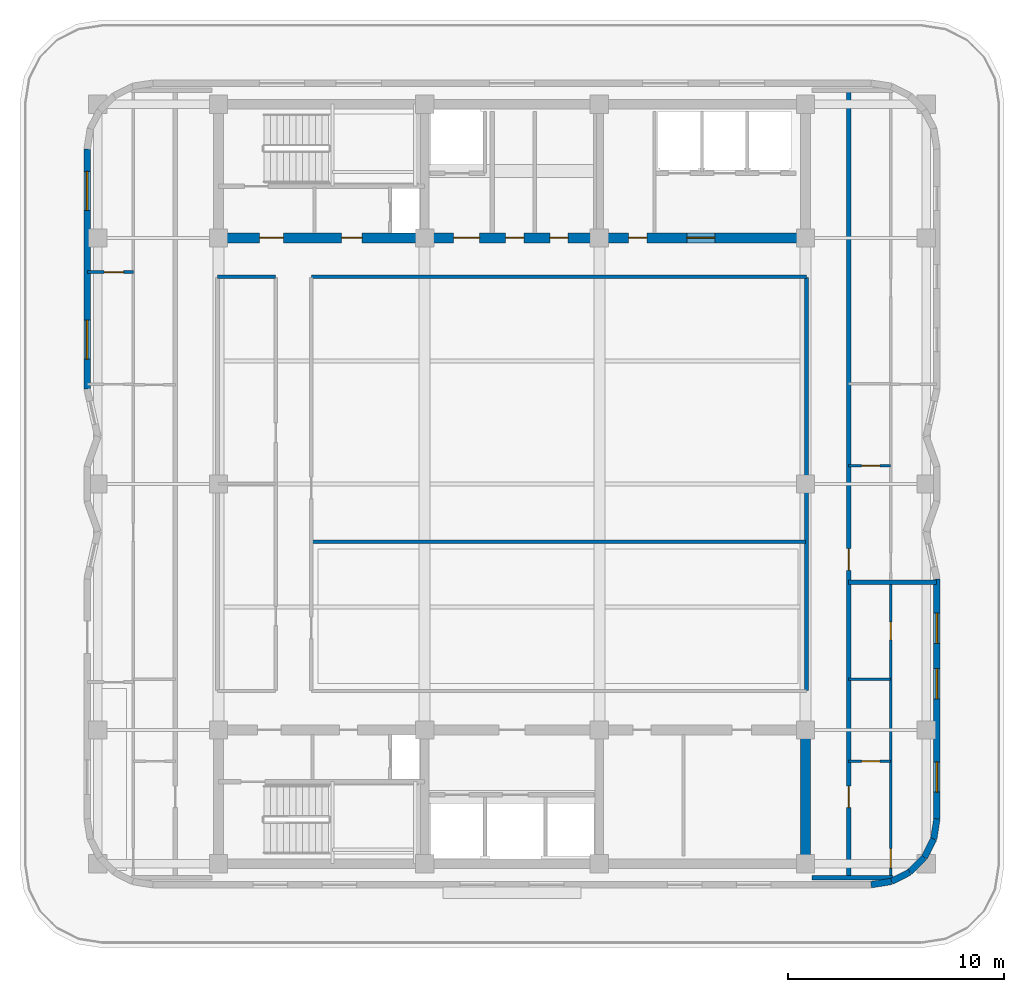
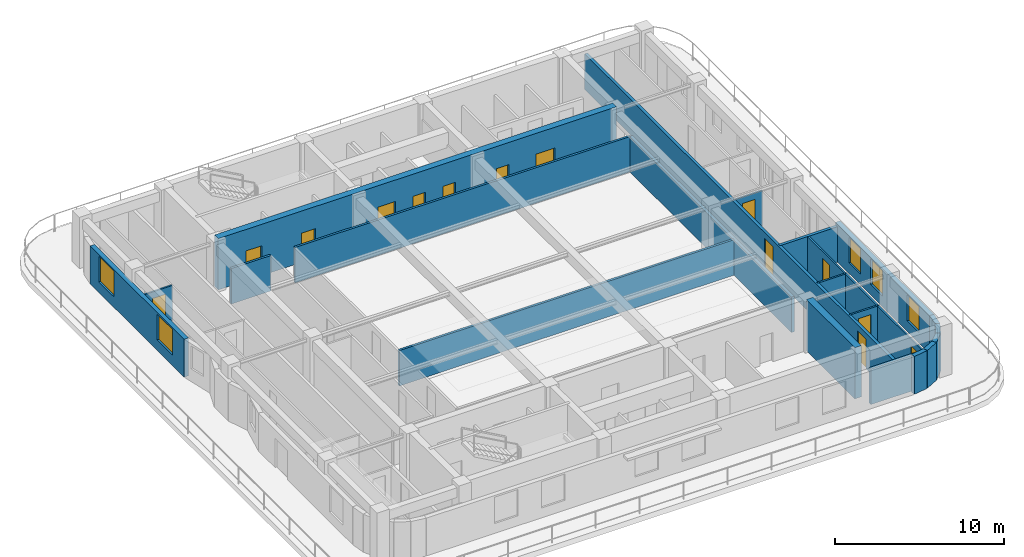
# One storey, part 4 of 9: 21 walls, 14 doors, 5 windows, 19 openings.
"""IFC4 building model written with IfcOpenShell, lengths in metres."""

from ifc_helpers import new_model, si_unit, direction, frame, frame_2d, origin, place, context, subcontext, project, spatial, rectangle, extrude, material, layer, layer_set, type_object, element, fill, save


model = new_model("IFC4")

# Units and contexts
model_context = context("Model", 3, precision=1e-05, world=origin(), true_north=direction((0.0, 1.0)))
body_context = subcontext(model_context, "Body", "Model", "MODEL_VIEW")
ifc_project = project(units=[si_unit("LENGTHUNIT", "METRE"), si_unit("AREAUNIT", "SQUARE_METRE"), si_unit("VOLUMEUNIT", "CUBIC_METRE"), si_unit("PLANEANGLEUNIT", "RADIAN"), si_unit("MASSUNIT", "GRAM", prefix="KILO")], contexts=[model_context])

# Site, building, storey
site_placement = place(None, origin())
site = spatial("IfcSite", under=ifc_project, at=site_placement, CompositionType="ELEMENT")
building_placement = place(site_placement, origin())
building = spatial("IfcBuilding", under=site, at=building_placement, Name="Svetorya Sky Lyceum", CompositionType="ELEMENT")
storey_placement = place(building_placement, frame((0.0, 0.0, 225.800048828125)))
storey = spatial("IfcBuildingStorey", under=building, at=storey_placement, Name="L56", CompositionType="ELEMENT", Elevation=225.800048828125)

# Wall
ifc_material_1 = material(Name="Concrete C50/60", Category="concrete")
ifc_layer_1 = layer(ifc_material_1, 0.449951171875)
ifc_layer_set_1 = layer_set([ifc_layer_1], Name="Concrete C50/60")
wall_type_1 = type_object("IfcWallType", Name="WL-CORE-450", PredefinedType="SHEAR", material=ifc_layer_set_1)
wall_1_placement = place(storey_placement, frame((52.800048828125, 10.824951171875, 0.0), z_axis=(0.0, 0.0, 1.0), x_axis=(0.0, 1.0, 0.0)))
element("IfcWall", 1, at=wall_1_placement, inside=storey, type_object=wall_type_1, Name="L56 SC East Core Shear Wall", PredefinedType="SHEAR", context=body_context, shape_type="SweptSolid", body=[
    extrude(rectangle(XDim=5.75, YDim=0.449951171875, at=frame_2d((2.875, 0.0))), origin(), (0.0, 0.0, 1.0), 3.699951171875),
])

# Wall, openings, doors
wall_2_placement = place(storey_placement, frame((52.800048828125, 39.60009765625, 0.0), z_axis=(0.0, 0.0, 1.0), x_axis=(-1.0, 0.0, 0.0)))
wall_2 = element("IfcWall", 2, at=wall_2_placement, inside=storey, type_object=wall_type_1, Name="L56 NC Inner Core Shear Wall", PredefinedType="SHEAR", context=body_context, shape_type="SweptSolid", body=[
    extrude(rectangle(XDim=27.199951171875, YDim=0.449951171875, at=frame_2d((13.60009765625, 0.0))), origin(), (0.0, 0.0, 1.0), 3.699951171875),
])
opening_1_placement = place(wall_2_placement, frame((24.199951171875, 0.0, 0.0)))
opening_1 = element("IfcOpeningElement", 3, at=opening_1_placement, cuts=wall_2, Name="Opening D-ST1", PredefinedType="OPENING", context=body_context, shape_type="SweptSolid", body=[
    extrude(rectangle(XDim=1.10009765625, YDim=2.14990234375, at=frame_2d((0.550048828125, 1.074951171875))), frame((0.0, 0.23486328125, 0.0), z_axis=(0.0, -1.0, 0.0), x_axis=(1.0, 0.0, 0.0)), (0.0, 0.0, 1.0), 0.469970703125),
])
opening_2_placement = place(wall_2_placement, frame((20.550048828125, 0.0, 0.0)))
opening_2 = element("IfcOpeningElement", 4, at=opening_2_placement, cuts=wall_2, Name="Opening D-CAC1", PredefinedType="OPENING", context=body_context, shape_type="SweptSolid", body=[
    extrude(rectangle(XDim=0.949951171875, YDim=2.10009765625, at=frame_2d((0.47509765625, 1.050048828125))), frame((0.0, 0.23486328125, 0.0), z_axis=(0.0, -1.0, 0.0), x_axis=(1.0, 0.0, 0.0)), (0.0, 0.0, 1.0), 0.469970703125),
])
opening_3_placement = place(wall_2_placement, frame((15.10009765625, 0.0, 0.0)))
opening_3 = element("IfcOpeningElement", 5, at=opening_3_placement, cuts=wall_2, Name="Opening D-FL1", PredefinedType="OPENING", context=body_context, shape_type="SweptSolid", body=[
    extrude(rectangle(XDim=1.199951171875, YDim=2.14990234375, at=frame_2d((0.60009765625, 1.074951171875))), frame((0.0, 0.23486328125, 0.0), z_axis=(0.0, -1.0, 0.0), x_axis=(1.0, 0.0, 0.0)), (0.0, 0.0, 1.0), 0.469970703125),
])
opening_4_placement = place(wall_2_placement, frame((13.050048828125, 0.0, 0.0)))
opening_4 = element("IfcOpeningElement", 6, at=opening_4_placement, cuts=wall_2, Name="Opening D-CWC1", PredefinedType="OPENING", context=body_context, shape_type="SweptSolid", body=[
    extrude(rectangle(XDim=0.85009765625, YDim=2.10009765625, at=frame_2d((0.425048828125, 1.050048828125))), frame((0.0, 0.23486328125, 0.0), z_axis=(0.0, -1.0, 0.0), x_axis=(1.0, 0.0, 0.0)), (0.0, 0.0, 1.0), 0.469970703125),
])
opening_5_placement = place(wall_2_placement, frame((11.0, 0.0, 0.0)))
opening_5 = element("IfcOpeningElement", 7, at=opening_5_placement, cuts=wall_2, Name="Opening D-CWC1", PredefinedType="OPENING", context=body_context, shape_type="SweptSolid", body=[
    extrude(rectangle(XDim=0.85009765625, YDim=2.10009765625, at=frame_2d((0.425048828125, 1.050048828125))), frame((0.0, 0.23486328125, 0.0), z_axis=(0.0, -1.0, 0.0), x_axis=(1.0, 0.0, 0.0)), (0.0, 0.0, 1.0), 0.469970703125),
])
opening_6_placement = place(wall_2_placement, frame((7.35009765625, 0.0, 0.0)))
opening_6 = element("IfcOpeningElement", 8, at=opening_6_placement, cuts=wall_2, Name="Opening D-CWC1", PredefinedType="OPENING", context=body_context, shape_type="SweptSolid", body=[
    extrude(rectangle(XDim=0.85009765625, YDim=2.10009765625, at=frame_2d((0.425048828125, 1.050048828125))), frame((0.0, 0.23486328125, 0.0), z_axis=(0.0, -1.0, 0.0), x_axis=(1.0, 0.0, 0.0)), (0.0, 0.0, 1.0), 0.469970703125),
])
opening_7_placement = place(wall_2_placement, frame((4.199951171875, 0.0, 0.0)))
opening_7 = element("IfcOpeningElement", 9, at=opening_7_placement, cuts=wall_2, Name="Opening D-LB1", PredefinedType="OPENING", context=body_context, shape_type="SweptSolid", body=[
    extrude(rectangle(XDim=1.300048828125, YDim=2.199951171875, at=frame_2d((0.64990234375, 1.10009765625))), frame((0.0, 0.23486328125, 0.0), z_axis=(0.0, -1.0, 0.0), x_axis=(1.0, 0.0, 0.0)), (0.0, 0.0, 1.0), 0.469970703125),
])
ifc_material_2 = material(Name="Fire-rated galvanized steel core accessible WC door", Category="steel")
door_type_1 = type_object("IfcDoorType", Name="DR-CACC-950", OperationType="SINGLE_SWING_LEFT", PredefinedType="DOOR", material=ifc_material_2)
door_1_placement = place(opening_2_placement, origin())
door_1 = element("IfcDoor", 10, at=door_1_placement, inside=storey, type_object=door_type_1, Name="L56 North Core Accessible WC Door", OperationType="SINGLE_SWING_RIGHT", OverallHeight=2.10009765625, OverallWidth=0.949951171875, PredefinedType="DOOR", context=body_context, shape_type="SweptSolid", body=[
    extrude(rectangle(XDim=0.949951171875, YDim=2.10009765625, at=frame_2d((0.47509765625, 1.050048828125))), frame((0.0, 0.02490234375, 0.0), z_axis=(0.0, -1.0, 0.0), x_axis=(1.0, 0.0, 0.0)), (0.0, 0.0, 1.0), 0.050048828125),
])
fill(opening_2, door_1)
ifc_material_3 = material(Name="Fire-rated galvanized steel core service closet door", Category="steel")
door_type_2 = type_object("IfcDoorType", Name="DR-CWET-850", OperationType="SINGLE_SWING_LEFT", PredefinedType="DOOR", material=ifc_material_3)
door_2_placement = place(opening_4_placement, origin())
door_2 = element("IfcDoor", 11, at=door_2_placement, inside=storey, type_object=door_type_2, Name="L56 Upper Linen Door", OperationType="SINGLE_SWING_LEFT", OverallHeight=2.10009765625, OverallWidth=0.85009765625, PredefinedType="DOOR", context=body_context, shape_type="SweptSolid", body=[
    extrude(rectangle(XDim=0.85009765625, YDim=2.10009765625, at=frame_2d((0.425048828125, 1.050048828125))), frame((0.0, 0.02490234375, 0.0), z_axis=(0.0, -1.0, 0.0), x_axis=(1.0, 0.0, 0.0)), (0.0, 0.0, 1.0), 0.050048828125),
])
fill(opening_4, door_2)
door_3_placement = place(opening_5_placement, origin())
door_3 = element("IfcDoor", 12, at=door_3_placement, inside=storey, type_object=door_type_2, Name="L56 Upper Laundry Door", OperationType="SINGLE_SWING_RIGHT", OverallHeight=2.10009765625, OverallWidth=0.85009765625, PredefinedType="DOOR", context=body_context, shape_type="SweptSolid", body=[
    extrude(rectangle(XDim=0.85009765625, YDim=2.10009765625, at=frame_2d((0.425048828125, 1.050048828125))), frame((0.0, 0.02490234375, 0.0), z_axis=(0.0, -1.0, 0.0), x_axis=(1.0, 0.0, 0.0)), (0.0, 0.0, 1.0), 0.050048828125),
])
fill(opening_5, door_3)
door_4_placement = place(opening_6_placement, origin())
door_4 = element("IfcDoor", 13, at=door_4_placement, inside=storey, type_object=door_type_2, Name="L56 High-Zone Utility Room Door", OperationType="SINGLE_SWING_LEFT", OverallHeight=2.10009765625, OverallWidth=0.85009765625, PredefinedType="DOOR", context=body_context, shape_type="SweptSolid", body=[
    extrude(rectangle(XDim=0.85009765625, YDim=2.10009765625, at=frame_2d((0.425048828125, 1.050048828125))), frame((0.0, 0.02490234375, 0.0), z_axis=(0.0, -1.0, 0.0), x_axis=(1.0, 0.0, 0.0)), (0.0, 0.0, 1.0), 0.050048828125),
])
fill(opening_6, door_4)
ifc_material_4 = material(Name="Powder-coated insulated galvanized stair fire door")
door_type_3 = type_object("IfcDoorType", Name="DR-FIRE-1100", OperationType="SINGLE_SWING_LEFT", PredefinedType="DOOR", material=ifc_material_4)
door_5_placement = place(opening_1_placement, origin())
door_5 = element("IfcDoor", 14, at=door_5_placement, inside=storey, type_object=door_type_3, Name="L56 North Stair Airlock Door", OperationType="SINGLE_SWING_LEFT", OverallHeight=2.14990234375, OverallWidth=1.10009765625, PredefinedType="DOOR", context=body_context, shape_type="SweptSolid", body=[
    extrude(rectangle(XDim=1.10009765625, YDim=2.14990234375, at=frame_2d((0.550048828125, 1.074951171875))), frame((0.0, 0.02490234375, 0.0), z_axis=(0.0, -1.0, 0.0), x_axis=(1.0, 0.0, 0.0)), (0.0, 0.0, 1.0), 0.050048828125),
])
fill(opening_1, door_5)
ifc_material_5 = material(Name="Powder-coated insulated galvanized fire door")
door_type_4 = type_object("IfcDoorType", Name="DR-FIRE-1200", OperationType="SINGLE_SWING_LEFT", PredefinedType="DOOR", material=ifc_material_5)
door_6_placement = place(opening_3_placement, origin())
door_6 = element("IfcDoor", 15, at=door_6_placement, inside=storey, type_object=door_type_4, Name="L56 North Firefighting Lift Lobby Door", OperationType="SINGLE_SWING_RIGHT", OverallHeight=2.14990234375, OverallWidth=1.199951171875, PredefinedType="DOOR", context=body_context, shape_type="SweptSolid", body=[
    extrude(rectangle(XDim=1.199951171875, YDim=2.14990234375, at=frame_2d((0.60009765625, 1.074951171875))), frame((0.0, 0.02490234375, 0.0), z_axis=(0.0, -1.0, 0.0), x_axis=(1.0, 0.0, 0.0)), (0.0, 0.0, 1.0), 0.050048828125),
])
fill(opening_3, door_6)
ifc_material_6 = material(Name="Glazed fire-rated aluminium lobby door", Category="aluminium")
door_type_5 = type_object("IfcDoorType", Name="DR-LOB-1300", OperationType="SINGLE_SWING_LEFT", PredefinedType="DOOR", material=ifc_material_6)
door_7_placement = place(opening_7_placement, origin())
door_7 = element("IfcDoor", 16, at=door_7_placement, inside=storey, type_object=door_type_5, Name="L56 North Passenger Lift Lobby Door", OperationType="SINGLE_SWING_LEFT", OverallHeight=2.199951171875, OverallWidth=1.300048828125, PredefinedType="DOOR", context=body_context, shape_type="SweptSolid", body=[
    extrude(rectangle(XDim=1.300048828125, YDim=2.199951171875, at=frame_2d((0.64990234375, 1.10009765625))), frame((0.0, 0.02490234375, 0.0), z_axis=(0.0, -1.0, 0.0), x_axis=(1.0, 0.0, 0.0)), (0.0, 0.0, 1.0), 0.050048828125),
])
fill(opening_7, door_7)

# Walls
ifc_material_7 = material(Name="Putilovo limestone rainscreen on autoclaved cellular masonry", Category="masonry")
ifc_layer_2 = layer(ifc_material_7, 0.300048828125)
ifc_layer_set_2 = layer_set([ifc_layer_2], Name="Putilovo limestone rainscreen on autoclaved cellular masonry")
wall_type_2 = type_object("IfcWallType", Name="WL-EXT-300", PredefinedType="SOLIDWALL", material=ifc_layer_set_2)
wall_3_placement = place(storey_placement, frame((55.840087890625, 9.6298828125, 0.0), z_axis=(0.0, 0.0, 1.0), x_axis=(0.987663181641, 0.156593229835, 0.0)))
element("IfcWall", 17, at=wall_3_placement, inside=storey, type_object=wall_type_2, Name="L56 Limestone Exterior Wall 7M", PredefinedType="SOLIDWALL", context=body_context, shape_type="SweptSolid", body=[
    extrude(rectangle(XDim=0.9541015625, YDim=0.300048828125, at=frame_2d((0.47705078125, 0.0))), origin(), (0.0, 0.0, 1.0), 2.72998046875),
])
for number, where, z_axis, x_axis, name in (
    (18, (56.782470703125, 9.779296875, 0.0), (0.0, 0.0, 1.0), (0.891076589373, 0.453852962833, 0.0), "L56 Limestone Exterior Wall 8M"),
    (19, (57.6328125, 10.21240234375, 0.0), (0.0, 0.0, 1.0), (0.707106781187, 0.707106781187, 0.0), "L56 Limestone Exterior Wall 9M"),
    (20, (58.3076171875, 10.88720703125, 0.0), (0.0, 0.0, 1.0), (0.453852962833, 0.891076589373, 0.0), "L56 Limestone Exterior Wall 10M"),
):
    element("IfcWall", number, at=place(storey_placement, frame(where, z_axis=z_axis, x_axis=x_axis)), inside=storey, type_object=wall_type_2, Name=name, PredefinedType="SOLIDWALL", context=body_context, shape_type="SweptSolid", body=[
        extrude(rectangle(XDim=0.954345703125, YDim=0.300048828125, at=frame_2d((0.47705078125, 0.0))), origin(), (0.0, 0.0, 1.0), 2.72998046875),
    ])
wall_4_placement = place(storey_placement, frame((58.74072265625, 11.737548828125, 0.0), z_axis=(0.0, 0.0, 1.0), x_axis=(0.156343617883, 0.987702725088, 0.0)))
element("IfcWall", 21, at=wall_4_placement, inside=storey, type_object=wall_type_2, Name="L56 Limestone Exterior Wall 11M", PredefinedType="SOLIDWALL", context=body_context, shape_type="SweptSolid", body=[
    extrude(rectangle(XDim=0.9541015625, YDim=0.300048828125, at=frame_2d((0.47705078125, 0.0))), origin(), (0.0, 0.0, 1.0), 2.72998046875),
])

# Wall, openings, windows
wall_5_placement = place(storey_placement, frame((58.889892578125, 12.679931640625, 0.0), z_axis=(0.0, 0.0, 1.0), x_axis=(0.0, 1.0, 0.0)))
wall_5 = element("IfcWall", 22, at=wall_5_placement, inside=storey, type_object=wall_type_2, Name="L56 Limestone Exterior Wall 12M", PredefinedType="SOLIDWALL", context=body_context, shape_type="SweptSolid", body=[
    extrude(rectangle(XDim=11.1201171875, YDim=0.300048828125, at=frame_2d((5.56005859375, 0.0))), origin(), (0.0, 0.0, 1.0), 2.72998046875),
])
opening_8_placement = place(wall_5_placement, frame((1.23681640625, 0.0, 0.760009765625)))
opening_8 = element("IfcOpeningElement", 23, at=opening_8_placement, cuts=wall_5, Name="Opening W-R2", PredefinedType="OPENING", context=body_context, shape_type="SweptSolid", body=[
    extrude(rectangle(XDim=1.39990234375, YDim=1.85009765625, at=frame_2d((0.699951171875, 0.925048828125))), frame((0.0, 0.159912109375, 0.0), z_axis=(0.0, -1.0, 0.0), x_axis=(1.0, 0.0, 0.0)), (0.0, 0.0, 1.0), 0.320068359375),
])
opening_9_placement = place(wall_5_placement, frame((5.56005859375, 0.0, 0.760009765625)))
opening_9 = element("IfcOpeningElement", 24, at=opening_9_placement, cuts=wall_5, Name="Opening W-R2", PredefinedType="OPENING", context=body_context, shape_type="SweptSolid", body=[
    extrude(rectangle(XDim=1.39990234375, YDim=1.85009765625, at=frame_2d((0.699951171875, 0.925048828125))), frame((0.0, 0.159912109375, 0.0), z_axis=(0.0, -1.0, 0.0), x_axis=(1.0, 0.0, 0.0)), (0.0, 0.0, 1.0), 0.320068359375),
])
opening_10_placement = place(wall_5_placement, frame((8.13330078125, 0.0, 0.760009765625)))
opening_10 = element("IfcOpeningElement", 25, at=opening_10_placement, cuts=wall_5, Name="Opening W-R2", PredefinedType="OPENING", context=body_context, shape_type="SweptSolid", body=[
    extrude(rectangle(XDim=1.39990234375, YDim=1.85009765625, at=frame_2d((0.699951171875, 0.925048828125))), frame((0.0, 0.159912109375, 0.0), z_axis=(0.0, -1.0, 0.0), x_axis=(1.0, 0.0, 0.0)), (0.0, 0.0, 1.0), 0.320068359375),
])
ifc_material_8 = material(Name="Thermally broken aluminium frame with triple low-E glazing", Category="aluminium")
window_type_1 = type_object("IfcWindowType", Name="WN-RES-140", PartitioningType="SINGLE_PANEL", PredefinedType="WINDOW", material=ifc_material_8)
window_1_placement = place(opening_8_placement, origin())
window_1 = element("IfcWindow", 26, at=window_1_placement, inside=storey, type_object=window_type_1, Name="L56 Facade Window W-R2.12M.1", OverallHeight=1.85009765625, OverallWidth=1.39990234375, PartitioningType="SINGLE_PANEL", PredefinedType="WINDOW", context=body_context, shape_type="SweptSolid", body=[
    extrude(rectangle(XDim=1.39990234375, YDim=1.85009765625, at=frame_2d((0.699951171875, 0.925048828125))), frame((0.0, 0.030029296875, 0.0), z_axis=(0.0, -1.0, 0.0), x_axis=(1.0, 0.0, 0.0)), (0.0, 0.0, 1.0), 0.06005859375),
])
fill(opening_8, window_1)
window_2_placement = place(opening_9_placement, origin())
window_2 = element("IfcWindow", 27, at=window_2_placement, inside=storey, type_object=window_type_1, Name="L56 Facade Window W-R2.12M.2", OverallHeight=1.85009765625, OverallWidth=1.39990234375, PartitioningType="SINGLE_PANEL", PredefinedType="WINDOW", context=body_context, shape_type="SweptSolid", body=[
    extrude(rectangle(XDim=1.39990234375, YDim=1.85009765625, at=frame_2d((0.699951171875, 0.925048828125))), frame((0.0, 0.030029296875, 0.0), z_axis=(0.0, -1.0, 0.0), x_axis=(1.0, 0.0, 0.0)), (0.0, 0.0, 1.0), 0.06005859375),
])
fill(opening_9, window_2)
window_3_placement = place(opening_10_placement, origin())
window_3 = element("IfcWindow", 28, at=window_3_placement, inside=storey, type_object=window_type_1, Name="L56 Facade Window W-R2.12M.3", OverallHeight=1.85009765625, OverallWidth=1.39990234375, PartitioningType="SINGLE_PANEL", PredefinedType="WINDOW", context=body_context, shape_type="SweptSolid", body=[
    extrude(rectangle(XDim=1.39990234375, YDim=1.85009765625, at=frame_2d((0.699951171875, 0.925048828125))), frame((0.0, 0.030029296875, 0.0), z_axis=(0.0, -1.0, 0.0), x_axis=(1.0, 0.0, 0.0)), (0.0, 0.0, 1.0), 0.06005859375),
])
fill(opening_10, window_3)

wall_6_placement = place(storey_placement, frame((19.510009765625, 43.719970703125, 0.0), z_axis=(0.0, 0.0, 1.0), x_axis=(0.0, -1.0, 0.0)))
wall_6 = element("IfcWall", 29, at=wall_6_placement, inside=storey, type_object=wall_type_2, Name="L56 Limestone Exterior Wall 30M", PredefinedType="SOLIDWALL", context=body_context, shape_type="SweptSolid", body=[
    extrude(rectangle(XDim=11.119873046875, YDim=0.300048828125, at=frame_2d((5.56005859375, 0.0))), origin(), (0.0, 0.0, 1.0), 2.72998046875),
])
opening_11_placement = place(wall_6_placement, frame((1.03662109375, 0.0, 0.760009765625)))
opening_11 = element("IfcOpeningElement", 30, at=opening_11_placement, cuts=wall_6, Name="Opening W-R1", PredefinedType="OPENING", context=body_context, shape_type="SweptSolid", body=[
    extrude(rectangle(XDim=1.800048828125, YDim=1.85009765625, at=frame_2d((0.89990234375, 0.925048828125))), frame((0.0, 0.159912109375, 0.0), z_axis=(0.0, -1.0, 0.0), x_axis=(1.0, 0.0, 0.0)), (0.0, 0.0, 1.0), 0.320068359375),
])
opening_12_placement = place(wall_6_placement, frame((7.933349609375, 0.0, 0.760009765625)))
opening_12 = element("IfcOpeningElement", 31, at=opening_12_placement, cuts=wall_6, Name="Opening W-R1", PredefinedType="OPENING", context=body_context, shape_type="SweptSolid", body=[
    extrude(rectangle(XDim=1.800048828125, YDim=1.85009765625, at=frame_2d((0.89990234375, 0.925048828125))), frame((0.0, 0.159912109375, 0.0), z_axis=(0.0, -1.0, 0.0), x_axis=(1.0, 0.0, 0.0)), (0.0, 0.0, 1.0), 0.320068359375),
])
window_type_2 = type_object("IfcWindowType", Name="WN-RES-180", PartitioningType="DOUBLE_PANEL_VERTICAL", PredefinedType="WINDOW", material=ifc_material_8)
window_4_placement = place(opening_11_placement, origin())
window_4 = element("IfcWindow", 32, at=window_4_placement, inside=storey, type_object=window_type_2, Name="L56 Facade Window W-R1.30M.1", OverallHeight=1.85009765625, OverallWidth=1.800048828125, PartitioningType="SINGLE_PANEL", PredefinedType="WINDOW", context=body_context, shape_type="SweptSolid", body=[
    extrude(rectangle(XDim=1.800048828125, YDim=1.85009765625, at=frame_2d((0.89990234375, 0.925048828125))), frame((0.0, 0.030029296875, 0.0), z_axis=(0.0, -1.0, 0.0), x_axis=(1.0, 0.0, 0.0)), (0.0, 0.0, 1.0), 0.06005859375),
])
fill(opening_11, window_4)
window_5_placement = place(opening_12_placement, origin())
window_5 = element("IfcWindow", 33, at=window_5_placement, inside=storey, type_object=window_type_2, Name="L56 Facade Window W-R1.30M.2", OverallHeight=1.85009765625, OverallWidth=1.800048828125, PartitioningType="SINGLE_PANEL", PredefinedType="WINDOW", context=body_context, shape_type="SweptSolid", body=[
    extrude(rectangle(XDim=1.800048828125, YDim=1.85009765625, at=frame_2d((0.89990234375, 0.925048828125))), frame((0.0, 0.030029296875, 0.0), z_axis=(0.0, -1.0, 0.0), x_axis=(1.0, 0.0, 0.0)), (0.0, 0.0, 1.0), 0.06005859375),
])
fill(opening_12, window_5)

# Wall, opening, door
ifc_material_9 = material(Name="Twin-stud galvanized framing with double fireboard", Category="gypsum")
ifc_layer_3 = layer(ifc_material_9, 0.1201171875)
ifc_layer_set_3 = layer_set([ifc_layer_3], Name="Twin-stud galvanized framing with double fireboard")
wall_type_3 = type_object("IfcWallType", Name="WL-PART-120", PredefinedType="PARTITIONING", material=ifc_layer_set_3)
wall_7_placement = place(storey_placement, frame((19.530029296875, 38.02001953125, 0.0), z_axis=(0.0, 0.0, 1.0), x_axis=(1.0, 0.0, 0.0)))
wall_7 = element("IfcWall", 34, at=wall_7_placement, inside=storey, type_object=wall_type_3, Name="L56 Interior Partition W1-WL3", PredefinedType="PARTITIONING", context=body_context, shape_type="SweptSolid", body=[
    extrude(rectangle(XDim=2.119873046875, YDim=0.1201171875, at=frame_2d((1.06005859375, 0.0))), origin(), (0.0, 0.0, 1.0), 2.56005859375),
])
opening_13_placement = place(wall_7_placement, frame((0.77001953125, 0.0, 0.0)))
opening_13 = element("IfcOpeningElement", 35, at=opening_13_placement, cuts=wall_7, Name="Opening D-RM1", PredefinedType="OPENING", context=body_context, shape_type="SweptSolid", body=[
    extrude(rectangle(XDim=0.89990234375, YDim=2.10009765625, at=frame_2d((0.449951171875, 1.050048828125))), frame((0.0, 0.070068359375, 0.0), z_axis=(0.0, -1.0, 0.0), x_axis=(1.0, 0.0, 0.0)), (0.0, 0.0, 1.0), 0.14013671875),
])
ifc_material_10 = material(Name="Lacquered birch veneer internal door")
door_type_6 = type_object("IfcDoorType", Name="DR-INT-900", OperationType="SINGLE_SWING_LEFT", PredefinedType="DOOR", material=ifc_material_10)
door_8_placement = place(opening_13_placement, origin())
door_8 = element("IfcDoor", 36, at=door_8_placement, inside=storey, type_object=door_type_6, Name="Apartment W1 Bedroom 3 Door", OperationType="SINGLE_SWING_LEFT", OverallHeight=2.10009765625, OverallWidth=0.89990234375, PredefinedType="DOOR", context=body_context, shape_type="SweptSolid", body=[
    extrude(rectangle(XDim=0.89990234375, YDim=2.10009765625, at=frame_2d((0.449951171875, 1.050048828125))), frame((0.0, 0.02490234375, 0.0), z_axis=(0.0, -1.0, 0.0), x_axis=(1.0, 0.0, 0.0)), (0.0, 0.0, 1.0), 0.050048828125),
])
fill(opening_13, door_8)

wall_8_placement = place(storey_placement, frame((54.800048828125, 15.35009765625, 0.0), z_axis=(0.0, 0.0, 1.0), x_axis=(1.0, 0.0, 0.0)))
wall_8 = element("IfcWall", 37, at=wall_8_placement, inside=storey, type_object=wall_type_3, Name="L56 Interior Partition E1-WH1", PredefinedType="PARTITIONING", context=body_context, shape_type="SweptSolid", body=[
    extrude(rectangle(XDim=1.949951171875, YDim=0.1201171875, at=frame_2d((0.97509765625, 0.0))), origin(), (0.0, 0.0, 1.0), 2.56005859375),
])
opening_14_placement = place(wall_8_placement, frame((0.60009765625, 0.0, 0.0)))
opening_14 = element("IfcOpeningElement", 38, at=opening_14_placement, cuts=wall_8, Name="Opening D-BT1", PredefinedType="OPENING", context=body_context, shape_type="SweptSolid", body=[
    extrude(rectangle(XDim=0.85009765625, YDim=2.10009765625, at=frame_2d((0.425048828125, 1.050048828125))), frame((0.0, 0.070068359375, 0.0), z_axis=(0.0, -1.0, 0.0), x_axis=(1.0, 0.0, 0.0)), (0.0, 0.0, 1.0), 0.14013671875),
])
ifc_material_11 = material(Name="Moisture-resistant laminate bathroom door")
door_type_7 = type_object("IfcDoorType", Name="DR-WET-850", OperationType="SINGLE_SWING_LEFT", PredefinedType="DOOR", material=ifc_material_11)
door_9_placement = place(opening_14_placement, origin())
door_9 = element("IfcDoor", 39, at=door_9_placement, inside=storey, type_object=door_type_7, Name="Apartment E1 Bathroom Door", OperationType="SINGLE_SWING_RIGHT", OverallHeight=2.10009765625, OverallWidth=0.85009765625, PredefinedType="DOOR", context=body_context, shape_type="SweptSolid", body=[
    extrude(rectangle(XDim=0.85009765625, YDim=2.10009765625, at=frame_2d((0.425048828125, 1.050048828125))), frame((0.0, 0.02490234375, 0.0), z_axis=(0.0, -1.0, 0.0), x_axis=(1.0, 0.0, 0.0)), (0.0, 0.0, 1.0), 0.050048828125),
])
fill(opening_14, door_9)

# Wall
wall_9_placement = place(storey_placement, frame((54.800048828125, 19.14990234375, 0.0), z_axis=(0.0, 0.0, 1.0), x_axis=(1.0, 0.0, 0.0)))
element("IfcWall", 40, at=wall_9_placement, inside=storey, type_object=wall_type_3, Name="L56 Interior Partition E1-WH2", PredefinedType="PARTITIONING", context=body_context, shape_type="SweptSolid", body=[
    extrude(rectangle(XDim=1.949951171875, YDim=0.1201171875, at=frame_2d((0.97509765625, 0.0))), origin(), (0.0, 0.0, 1.0), 2.56005859375),
])

# Wall, openings, doors
wall_10_placement = place(storey_placement, frame((56.75, 9.989990234375, 0.0), z_axis=(0.0, 0.0, 1.0), x_axis=(0.0, 1.0, 0.0)))
wall_10 = element("IfcWall", 41, at=wall_10_placement, inside=storey, type_object=wall_type_3, Name="L56 Interior Partition E1-WV", PredefinedType="PARTITIONING", context=body_context, shape_type="SweptSolid", body=[
    extrude(rectangle(XDim=13.6201171875, YDim=0.1201171875, at=frame_2d((6.81005859375, 0.0))), origin(), (0.0, 0.0, 1.0), 2.56005859375),
])
opening_15_placement = place(wall_10_placement, frame((0.409912109375, 0.0, 0.0)))
opening_15 = element("IfcOpeningElement", 42, at=opening_15_placement, cuts=wall_10, Name="Opening D-RM1", PredefinedType="OPENING", context=body_context, shape_type="SweptSolid", body=[
    extrude(rectangle(XDim=0.89990234375, YDim=2.10009765625, at=frame_2d((0.449951171875, 1.050048828125))), frame((0.0, 0.070068359375, 0.0), z_axis=(0.0, -1.0, 0.0), x_axis=(1.0, 0.0, 0.0)), (0.0, 0.0, 1.0), 0.14013671875),
])
opening_16_placement = place(wall_10_placement, frame((10.985107421875, 0.0, 0.0)))
opening_16 = element("IfcOpeningElement", 43, at=opening_16_placement, cuts=wall_10, Name="Opening D-BT2", PredefinedType="OPENING", context=body_context, shape_type="SweptSolid", body=[
    extrude(rectangle(XDim=0.820068359375, YDim=2.080078125, at=frame_2d((0.41015625, 1.0400390625))), frame((0.0, 0.070068359375, 0.0), z_axis=(0.0, -1.0, 0.0), x_axis=(1.0, 0.0, 0.0)), (0.0, 0.0, 1.0), 0.14013671875),
])
door_10_placement = place(opening_15_placement, origin())
door_10 = element("IfcDoor", 44, at=door_10_placement, inside=storey, type_object=door_type_6, Name="Apartment E1 Living Door", OperationType="SINGLE_SWING_LEFT", OverallHeight=2.10009765625, OverallWidth=0.89990234375, PredefinedType="DOOR", context=body_context, shape_type="SweptSolid", body=[
    extrude(rectangle(XDim=0.89990234375, YDim=2.10009765625, at=frame_2d((0.449951171875, 1.050048828125))), frame((0.0, 0.02490234375, 0.0), z_axis=(0.0, -1.0, 0.0), x_axis=(1.0, 0.0, 0.0)), (0.0, 0.0, 1.0), 0.050048828125),
])
fill(opening_15, door_10)
ifc_material_12 = material(Name="Compact moisture-resistant laminate closet door")
door_type_8 = type_object("IfcDoorType", Name="DR-WET-820", OperationType="SINGLE_SWING_LEFT", PredefinedType="DOOR", material=ifc_material_12)
door_11_placement = place(opening_16_placement, origin())
door_11 = element("IfcDoor", 45, at=door_11_placement, inside=storey, type_object=door_type_8, Name="Apartment E1 Study Door", OperationType="SINGLE_SWING_RIGHT", OverallHeight=2.080078125, OverallWidth=0.820068359375, PredefinedType="DOOR", context=body_context, shape_type="SweptSolid", body=[
    extrude(rectangle(XDim=0.820068359375, YDim=2.080078125, at=frame_2d((0.41015625, 1.0400390625))), frame((0.0, 0.02490234375, 0.0), z_axis=(0.0, -1.0, 0.0), x_axis=(1.0, 0.0, 0.0)), (0.0, 0.0, 1.0), 0.050048828125),
])
fill(opening_16, door_11)

# Wall, opening, door
wall_11_placement = place(storey_placement, frame((54.800048828125, 29.050048828125, 0.0), z_axis=(0.0, 0.0, 1.0), x_axis=(1.0, 0.0, 0.0)))
wall_11 = element("IfcWall", 46, at=wall_11_placement, inside=storey, type_object=wall_type_3, Name="L56 Interior Partition E2-WH1", PredefinedType="PARTITIONING", context=body_context, shape_type="SweptSolid", body=[
    extrude(rectangle(XDim=1.949951171875, YDim=0.1201171875, at=frame_2d((0.97509765625, 0.0))), origin(), (0.0, 0.0, 1.0), 2.56005859375),
])
opening_17_placement = place(wall_11_placement, frame((0.60009765625, 0.0, 0.0)))
opening_17 = element("IfcOpeningElement", 47, at=opening_17_placement, cuts=wall_11, Name="Opening D-BT1", PredefinedType="OPENING", context=body_context, shape_type="SweptSolid", body=[
    extrude(rectangle(XDim=0.85009765625, YDim=2.10009765625, at=frame_2d((0.425048828125, 1.050048828125))), frame((0.0, 0.070068359375, 0.0), z_axis=(0.0, -1.0, 0.0), x_axis=(1.0, 0.0, 0.0)), (0.0, 0.0, 1.0), 0.14013671875),
])
door_12_placement = place(opening_17_placement, origin())
door_12 = element("IfcDoor", 48, at=door_12_placement, inside=storey, type_object=door_type_7, Name="Apartment E2 Bathroom Door", OperationType="SINGLE_SWING_LEFT", OverallHeight=2.10009765625, OverallWidth=0.85009765625, PredefinedType="DOOR", context=body_context, shape_type="SweptSolid", body=[
    extrude(rectangle(XDim=0.85009765625, YDim=2.10009765625, at=frame_2d((0.425048828125, 1.050048828125))), frame((0.0, 0.02490234375, 0.0), z_axis=(0.0, -1.0, 0.0), x_axis=(1.0, 0.0, 0.0)), (0.0, 0.0, 1.0), 0.050048828125),
])
fill(opening_17, door_12)

# Walls
ifc_material_13 = material(Name="Autoclaved cellular masonry blockwork with acoustic render", Category="masonry")
ifc_layer_4 = layer(ifc_material_13, 0.14990234375)
ifc_layer_set_4 = layer_set([ifc_layer_4], Name="Autoclaved cellular masonry blockwork with acoustic render")
wall_type_4 = type_object("IfcWallType", Name="WL-PART-150", PredefinedType="PARTITIONING", material=ifc_layer_set_4)
wall_12_placement = place(storey_placement, frame((25.550048828125, 37.800048828125, 0.0), z_axis=(0.0, 0.0, 1.0), x_axis=(1.0, 0.0, 0.0)))
element("IfcWall", 49, at=wall_12_placement, inside=storey, type_object=wall_type_4, Name="L56 Interior Partition OFF-CN-W", PredefinedType="PARTITIONING", context=body_context, shape_type="SweptSolid", body=[
    extrude(rectangle(XDim=2.699951171875, YDim=0.14990234375, at=frame_2d((1.35009765625, 0.0))), origin(), (0.0, 0.0, 1.0), 2.56005859375),
])
wall_13_placement = place(storey_placement, frame((29.89990234375, 37.800048828125, 0.0), z_axis=(0.0, 0.0, 1.0), x_axis=(1.0, 0.0, 0.0)))
element("IfcWall", 50, at=wall_13_placement, inside=storey, type_object=wall_type_4, Name="L56 Interior Partition OFF-CN-E", PredefinedType="PARTITIONING", context=body_context, shape_type="SweptSolid", body=[
    extrude(rectangle(XDim=22.9501953125, YDim=0.14990234375, at=frame_2d((11.47509765625, 0.0))), origin(), (0.0, 0.0, 1.0), 2.56005859375),
])
wall_14_placement = place(storey_placement, frame((29.929931640625, 25.5205078125, 0.0), z_axis=(0.0, 0.0, 1.0), x_axis=(1.0, 0.0, 0.0)))
element("IfcWall", 51, at=wall_14_placement, inside=storey, type_object=wall_type_4, Name="L56 Interior Partition OFF-HE", PredefinedType="PARTITIONING", context=body_context, shape_type="SweptSolid", body=[
    extrude(rectangle(XDim=22.8701171875, YDim=0.14990234375, at=frame_2d((11.43505859375, 0.0))), origin(), (0.0, 0.0, 1.0), 2.56005859375),
])
ifc_material_14 = material(Name="Autoclaved cellular masonry blockwork with gypsum plaster", Category="masonry")
ifc_layer_5 = layer(ifc_material_14, 0.199951171875)
ifc_layer_set_5 = layer_set([ifc_layer_5], Name="Autoclaved cellular masonry blockwork with gypsum plaster")
wall_type_5 = type_object("IfcWallType", Name="WL-PART-200", PredefinedType="PARTITIONING", material=ifc_layer_set_5)
wall_15_placement = place(storey_placement, frame((52.85009765625, 18.6298828125, 0.0), z_axis=(0.0, 0.0, 1.0), x_axis=(0.0, 1.0, 0.0)))
element("IfcWall", 52, at=wall_15_placement, inside=storey, type_object=wall_type_5, Name="L56 Interior Partition E-CEN-SEP", PredefinedType="PARTITIONING", context=body_context, shape_type="SweptSolid", body=[
    extrude(rectangle(XDim=19.14013671875, YDim=0.199951171875, at=frame_2d((9.570068359375, 0.0))), origin(), (0.0, 0.0, 1.0), 2.56005859375),
])
wall_16_placement = place(storey_placement, frame((54.800048828125, 23.64990234375, 0.0), z_axis=(0.0, 0.0, 1.0), x_axis=(1.0, 0.0, 0.0)))
element("IfcWall", 53, at=wall_16_placement, inside=storey, type_object=wall_type_5, Name="L56 Interior Partition E-PARTY-1", PredefinedType="PARTITIONING", context=body_context, shape_type="SweptSolid", body=[
    extrude(rectangle(XDim=4.070068359375, YDim=0.199951171875, at=frame_2d((2.03515625, 0.0))), origin(), (0.0, 0.0, 1.0), 2.56005859375),
])

# Wall, openings, doors
wall_17_placement = place(storey_placement, frame((54.800048828125, 9.949951171875, 0.0), z_axis=(0.0, 0.0, 1.0), x_axis=(0.0, 1.0, 0.0)))
wall_17 = element("IfcWall", 54, at=wall_17_placement, inside=storey, type_object=wall_type_5, Name="L56 Interior Partition E-CORRW", PredefinedType="PARTITIONING", context=body_context, shape_type="SweptSolid", body=[
    extrude(rectangle(XDim=36.5, YDim=0.199951171875, at=frame_2d((18.25, 0.0))), origin(), (0.0, 0.0, 1.0), 2.56005859375),
])
opening_18_placement = place(wall_17_placement, frame((3.25, 0.0, 0.0)))
opening_18 = element("IfcOpeningElement", 55, at=opening_18_placement, cuts=wall_17, Name="Opening D-APT1", PredefinedType="OPENING", context=body_context, shape_type="SweptSolid", body=[
    extrude(rectangle(XDim=1.0, YDim=2.14990234375, at=frame_2d((0.5, 1.074951171875))), frame((0.0, 0.10986328125, 0.0), z_axis=(0.0, -1.0, 0.0), x_axis=(1.0, 0.0, 0.0)), (0.0, 0.0, 1.0), 0.219970703125),
])
opening_19_placement = place(wall_17_placement, frame((14.25, 0.0, 0.0)))
opening_19 = element("IfcOpeningElement", 56, at=opening_19_placement, cuts=wall_17, Name="Opening D-APT1", PredefinedType="OPENING", context=body_context, shape_type="SweptSolid", body=[
    extrude(rectangle(XDim=1.0, YDim=2.14990234375, at=frame_2d((0.5, 1.074951171875))), frame((0.0, 0.10986328125, 0.0), z_axis=(0.0, -1.0, 0.0), x_axis=(1.0, 0.0, 0.0)), (0.0, 0.0, 1.0), 0.219970703125),
])
ifc_material_15 = material(Name="Insulated oak-veneered apartment entrance door")
door_type_9 = type_object("IfcDoorType", Name="DR-APT-1000", OperationType="SINGLE_SWING_LEFT", PredefinedType="DOOR", material=ifc_material_15)
door_13_placement = place(opening_18_placement, origin())
door_13 = element("IfcDoor", 57, at=door_13_placement, inside=storey, type_object=door_type_9, Name="L56 Apartment E1 Entrance Door", OperationType="SINGLE_SWING_RIGHT", OverallHeight=2.14990234375, OverallWidth=1.0, PredefinedType="DOOR", context=body_context, shape_type="SweptSolid", body=[
    extrude(rectangle(XDim=1.0, YDim=2.14990234375, at=frame_2d((0.5, 1.074951171875))), frame((0.0, 0.02490234375, 0.0), z_axis=(0.0, -1.0, 0.0), x_axis=(1.0, 0.0, 0.0)), (0.0, 0.0, 1.0), 0.050048828125),
])
fill(opening_18, door_13)
door_14_placement = place(opening_19_placement, origin())
door_14 = element("IfcDoor", 58, at=door_14_placement, inside=storey, type_object=door_type_9, Name="L56 Apartment E2 Entrance Door", OperationType="SINGLE_SWING_LEFT", OverallHeight=2.14990234375, OverallWidth=1.0, PredefinedType="DOOR", context=body_context, shape_type="SweptSolid", body=[
    extrude(rectangle(XDim=1.0, YDim=2.14990234375, at=frame_2d((0.5, 1.074951171875))), frame((0.0, 0.02490234375, 0.0), z_axis=(0.0, -1.0, 0.0), x_axis=(1.0, 0.0, 0.0)), (0.0, 0.0, 1.0), 0.050048828125),
])
fill(opening_19, door_14)

# Wall
wall_18_placement = place(storey_placement, frame((53.10009765625, 9.949951171875, 0.0), z_axis=(0.0, 0.0, 1.0), x_axis=(1.0, 0.0, 0.0)))
element("IfcWall", 59, at=wall_18_placement, inside=storey, type_object=wall_type_5, Name="L56 Interior Partition E-CAP-S", PredefinedType="PARTITIONING", context=body_context, shape_type="SweptSolid", body=[
    extrude(rectangle(XDim=3.75390625, YDim=0.199951171875, at=frame_2d((1.876953125, 0.0))), origin(), (0.0, 0.0, 1.0), 2.56005859375),
])

save(model, "model.ifc")
